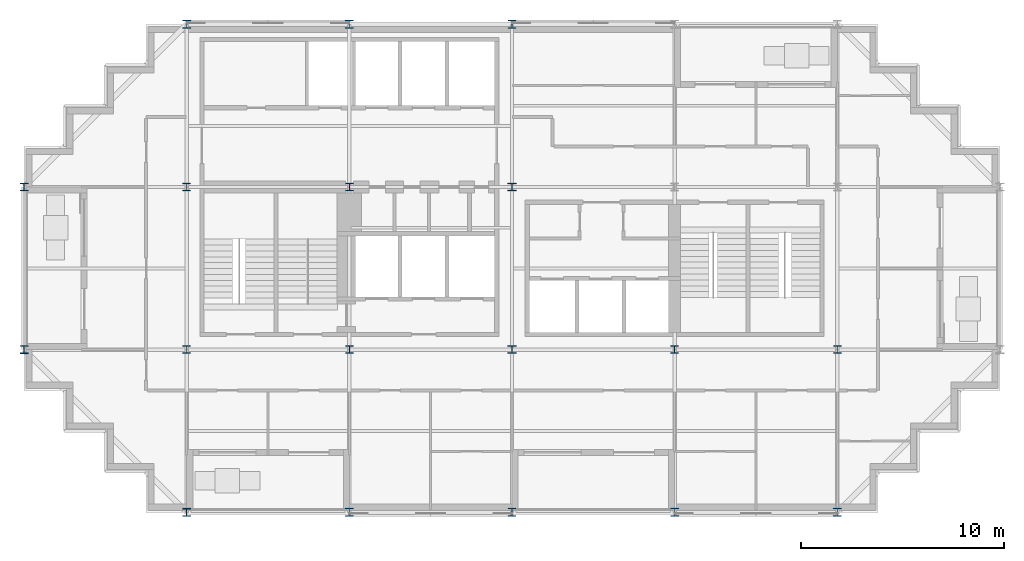
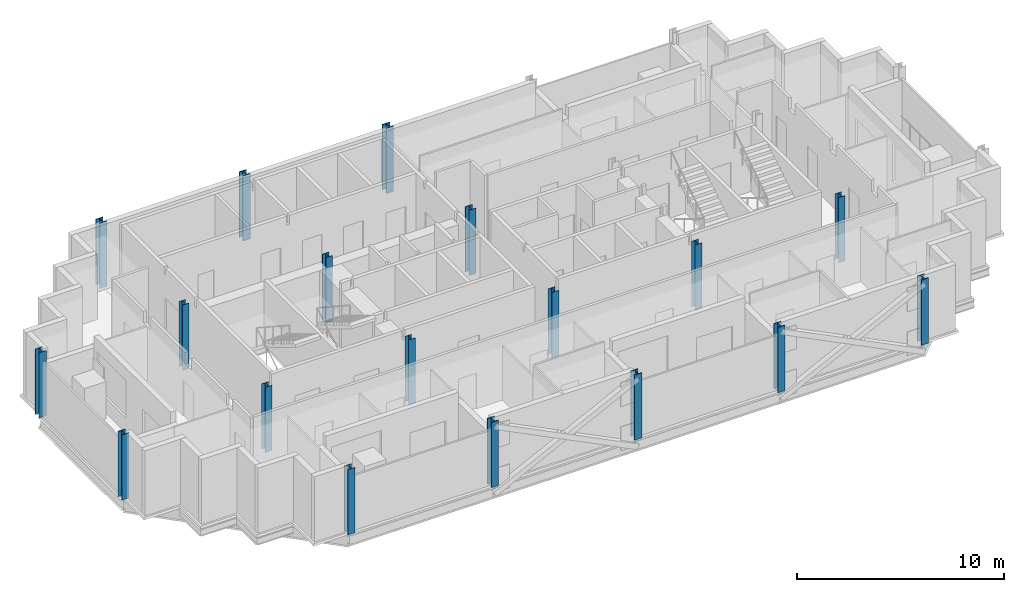
# One storey, part 1 of 10: 18 columns.
"""IFC4 building model written with IfcOpenShell, lengths in metres."""

from ifc_helpers import new_model, si_unit, direction, frame, origin, origin_2d, place, context, subcontext, project, spatial, i_section, extrude, material, material_profile, profile_set, type_object, element, save


model = new_model("IFC4")

# Units and contexts
model_context = context("Model", 3, precision=1e-05, world=origin(), true_north=direction((0.0, 1.0)))
body_context = subcontext(model_context, "Body", "Model", "MODEL_VIEW")
ifc_project = project(units=[si_unit("LENGTHUNIT", "METRE"), si_unit("AREAUNIT", "SQUARE_METRE"), si_unit("VOLUMEUNIT", "CUBIC_METRE"), si_unit("PLANEANGLEUNIT", "RADIAN"), si_unit("MASSUNIT", "GRAM", prefix="KILO")], contexts=[model_context])

# Site, building, storey
site_placement = place(None, origin())
site = spatial("IfcSite", under=ifc_project, at=site_placement, CompositionType="ELEMENT")
building_placement = place(site_placement, origin())
building = spatial("IfcBuilding", under=site, at=building_placement, Name="Immortelle Media Tower", CompositionType="ELEMENT")
storey_placement = place(building_placement, frame((0.0, 0.0, 229.0)))
storey = spatial("IfcBuildingStorey", under=building, at=storey_placement, Name="L49", CompositionType="ELEMENT", Elevation=229.0)

# Columns
ifc_material = material(Name="Steel ASTM A992 Gr 50", Category="steel")
ifc_material_profile_1 = material_profile(ifc_material, i_section(OverallWidth=0.373046875, OverallDepth=0.367919921875, WebThickness=0.014892578125, FlangeThickness=0.02392578125, at=origin_2d()), Name="W14x120")
ifc_profile_set_1 = profile_set([ifc_material_profile_1], Name="Steel ASTM A992 Gr 50")
column_type_1 = type_object("IfcColumnType", Name="W14x120 column", PredefinedType="COLUMN", material=ifc_profile_set_1)
for number, where, z_axis, x_axis, name in (
    (1, (8.0, 8.0, 0.0), (0.0, 0.0, 1.0), (1.0, 0.0, 0.0), "Column 2/B"),
    (2, (8.0, 16.0, 0.0), (0.0, 0.0, 1.0), (1.0, 0.0, 0.0), "Column 2/C"),
    (3, (16.0, 8.0, 0.0), (0.0, 0.0, 1.0), (1.0, 0.0, 0.0), "Column 3/B"),
    (4, (16.0, 16.0, 0.0), (0.0, 0.0, 1.0), (1.0, 0.0, 0.0), "Column 3/C"),
    (5, (32.0, 8.0, 0.0), (0.0, 0.0, 1.0), (1.0, 0.0, 0.0), "Column 5/B"),
    (6, (40.0, 8.0, 0.0), (0.0, 0.0, 1.0), (1.0, 0.0, 0.0), "Column 6/B"),
):
    element("IfcColumn", number, at=place(storey_placement, frame(where, z_axis=z_axis, x_axis=x_axis)), inside=storey, type_object=column_type_1, Name=name, PredefinedType="COLUMN", context=body_context, shape_type="SweptSolid", body=[
        extrude(i_section(OverallWidth=0.373046875, OverallDepth=0.367919921875, WebThickness=0.014892578125, FlangeThickness=0.02392578125, at=origin_2d()), origin(), (0.0, 0.0, 1.0), 3.85009765625),
    ])
ifc_material_profile_2 = material_profile(ifc_material, i_section(OverallWidth=0.39404296875, OverallDepth=0.3759765625, WebThickness=0.01708984375, FlangeThickness=0.028076171875, at=origin_2d()), Name="W14x145")
ifc_profile_set_2 = profile_set([ifc_material_profile_2], Name="Steel ASTM A992 Gr 50")
column_type_2 = type_object("IfcColumnType", Name="W14x145 column", PredefinedType="COLUMN", material=ifc_profile_set_2)
for number, where, z_axis, x_axis, name in (
    (7, (24.0, 8.0, 0.0), (0.0, 0.0, 1.0), (1.0, 0.0, 0.0), "Column 4/B"),
    (8, (24.0, 16.0, 0.0), (0.0, 0.0, 1.0), (1.0, 0.0, 0.0), "Column 4/C"),
):
    element("IfcColumn", number, at=place(storey_placement, frame(where, z_axis=z_axis, x_axis=x_axis)), inside=storey, type_object=column_type_2, Name=name, PredefinedType="COLUMN", context=body_context, shape_type="SweptSolid", body=[
        extrude(i_section(OverallWidth=0.39404296875, OverallDepth=0.3759765625, WebThickness=0.01708984375, FlangeThickness=0.028076171875, at=origin_2d()), origin(), (0.0, 0.0, 1.0), 3.85009765625),
    ])
ifc_material_profile_3 = material_profile(ifc_material, i_section(OverallWidth=0.39892578125, OverallDepth=0.385986328125, WebThickness=0.02099609375, FlangeThickness=0.032958984375, at=origin_2d()), Name="W14x176")
ifc_profile_set_3 = profile_set([ifc_material_profile_3], Name="Steel ASTM A992 Gr 50")
column_type_3 = type_object("IfcColumnType", Name="W14x176 column", PredefinedType="COLUMN", material=ifc_profile_set_3)
for number, where, z_axis, x_axis, name in (
    (9, (0.0, 8.0, 0.0), (0.0, 0.0, 1.0), (1.0, 0.0, 0.0), "Column 1/B"),
    (10, (0.0, 16.0, 0.0), (0.0, 0.0, 1.0), (1.0, 0.0, 0.0), "Column 1/C"),
    (11, (8.0, 0.0, 0.0), (0.0, 0.0, 1.0), (1.0, 0.0, 0.0), "Column 2/A"),
):
    element("IfcColumn", number, at=place(storey_placement, frame(where, z_axis=z_axis, x_axis=x_axis)), inside=storey, type_object=column_type_3, Name=name, PredefinedType="COLUMN", context=body_context, shape_type="SweptSolid", body=[
        extrude(i_section(OverallWidth=0.39892578125, OverallDepth=0.385986328125, WebThickness=0.02099609375, FlangeThickness=0.032958984375, at=origin_2d()), origin(), (0.0, 0.0, 1.0), 3.85009765625),
    ])
ifc_material_profile_4 = material_profile(ifc_material, i_section(OverallWidth=0.406005859375, OverallDepth=0.4169921875, WebThickness=0.030029296875, FlangeThickness=0.048095703125, at=origin_2d()), Name="W14x257")
ifc_profile_set_4 = profile_set([ifc_material_profile_4], Name="Steel ASTM A992 Gr 50")
column_type_4 = type_object("IfcColumnType", Name="W14x257 column", PredefinedType="COLUMN", material=ifc_profile_set_4)
for number, where, z_axis, x_axis, name in (
    (12, (8.0, 24.0, 0.0), (0.0, 0.0, 1.0), (1.0, 0.0, 0.0), "Column 2/D"),
    (13, (16.0, 0.0, 0.0), (0.0, 0.0, 1.0), (1.0, 0.0, 0.0), "Column 3/A"),
    (14, (16.0, 24.0, 0.0), (0.0, 0.0, 1.0), (1.0, 0.0, 0.0), "Column 3/D"),
    (15, (24.0, 0.0, 0.0), (0.0, 0.0, 1.0), (1.0, 0.0, 0.0), "Column 4/A"),
    (16, (24.0, 24.0, 0.0), (0.0, 0.0, 1.0), (1.0, 0.0, 0.0), "Column 4/D"),
    (17, (32.0, 0.0, 0.0), (0.0, 0.0, 1.0), (1.0, 0.0, 0.0), "Column 5/A"),
    (18, (40.0, 0.0, 0.0), (0.0, 0.0, 1.0), (1.0, 0.0, 0.0), "Column 6/A"),
):
    element("IfcColumn", number, at=place(storey_placement, frame(where, z_axis=z_axis, x_axis=x_axis)), inside=storey, type_object=column_type_4, Name=name, PredefinedType="COLUMN", context=body_context, shape_type="SweptSolid", body=[
        extrude(i_section(OverallWidth=0.406005859375, OverallDepth=0.4169921875, WebThickness=0.030029296875, FlangeThickness=0.048095703125, at=origin_2d()), origin(), (0.0, 0.0, 1.0), 3.85009765625),
    ])

save(model, "model.ifc")
